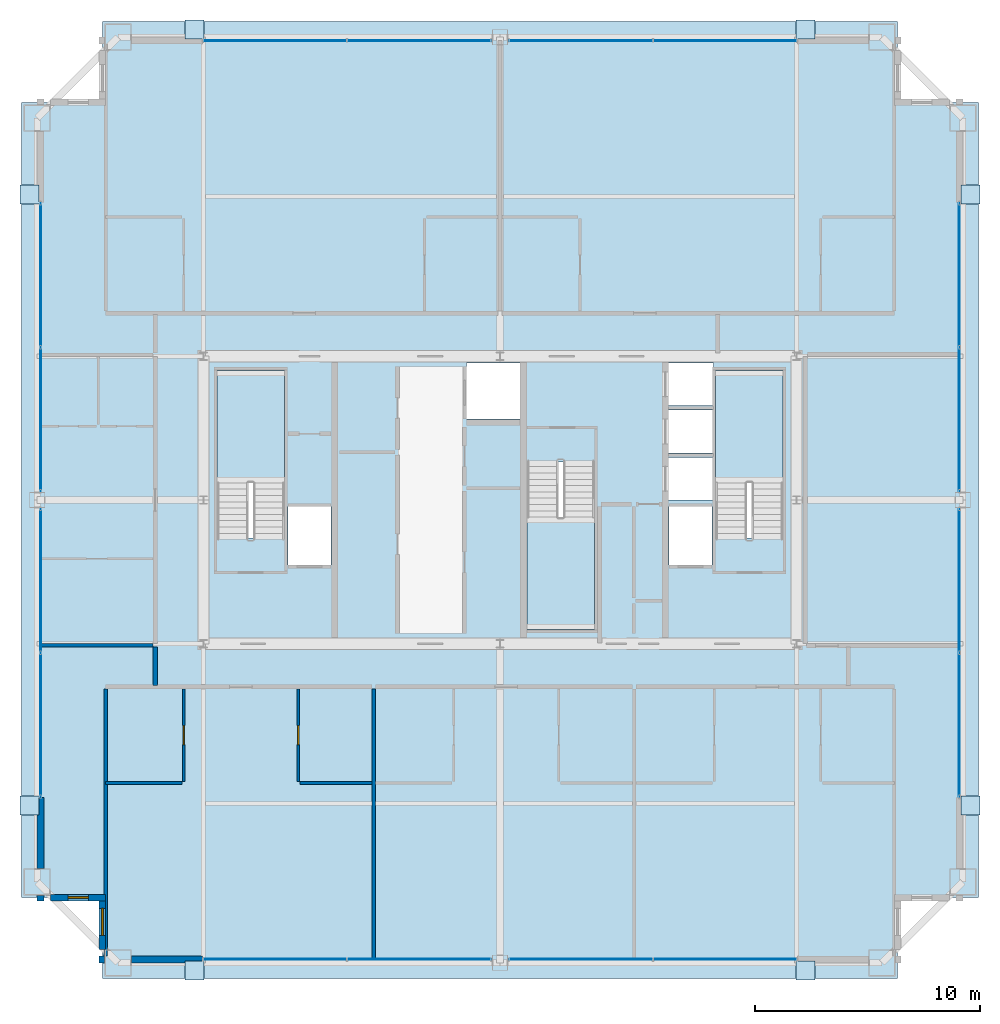
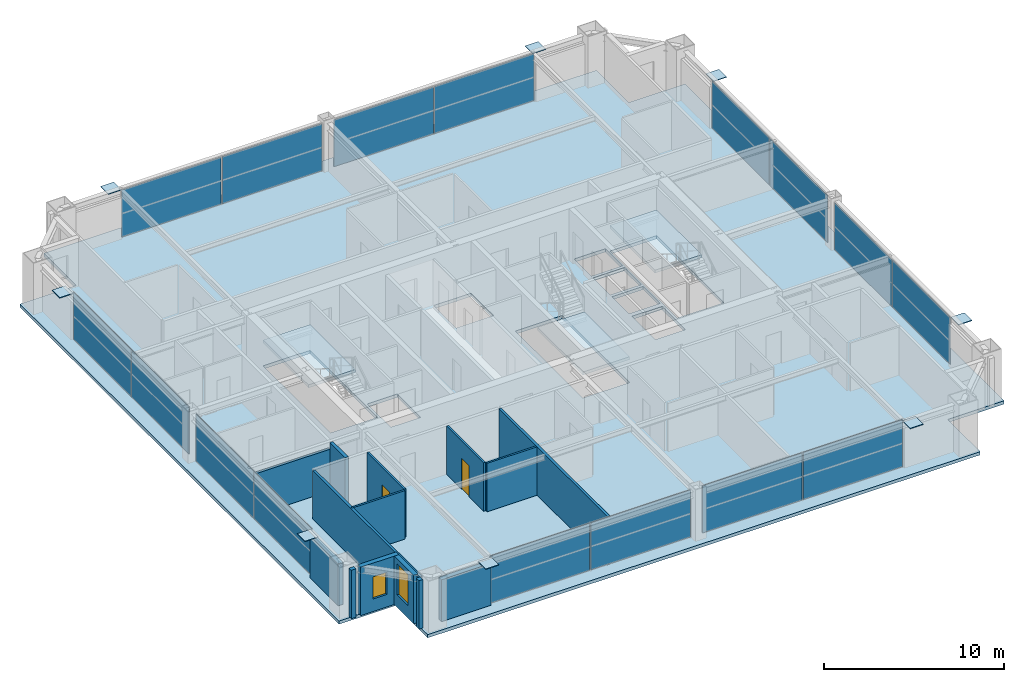
# One storey, part 32 of 37: 24 plates, 14 walls, 4 slabs, 2 doors, 2 windows, 4 openings, 11 elements without a shape of their own.
"""IFC4 building model written with IfcOpenShell, lengths in metres."""

import ifcopenshell
import ifcopenshell.guid

model = None  # the IFC model being written
_history = None  # IfcOwnerHistory: only IFC2X3 demands one
_inside = {}  # id of a spatial element -> (the spatial element, [elements in it])
_under = {}  # id of a project, library or spatial element -> (it, [spatial elements below it])
_declared = {}  # id of a project -> (the project, [libraries it declares])
_typed = {}  # id of a type object -> (the type object, [elements of that type])
_made_of = {}  # id of a material, layer set ... -> (it, [elements and type objects made of it])


def new_model(schema):
    """Start an empty IFC model of exactly this schema.

    Asked for "IFC4X3", IfcOpenShell would pick the latest addendum, in which some entities
    have other attributes; the version numbers below select the first issue.
    IFC2X3 requires an IfcOwnerHistory on every rooted entity: one is made here for all.
    """
    global model, _history
    if schema == "IFC4X3":
        model = ifcopenshell.file(schema_version=(4, 3, 0, 0))
    else:
        model = ifcopenshell.file(schema=schema)
    _inside.clear()
    _under.clear()
    _declared.clear()
    _typed.clear()
    _made_of.clear()
    _history = None
    if model.schema == "IFC2X3":
        org = make("IfcOrganization", Name="unknown")
        user = make(
            "IfcPersonAndOrganization",
            ThePerson=make("IfcPerson", FamilyName="unknown"),
            TheOrganization=org,
        )
        app = make(
            "IfcApplication",
            ApplicationDeveloper=org,
            Version="unknown",
            ApplicationFullName="unknown",
            ApplicationIdentifier="unknown",
        )
        _history = make(
            "IfcOwnerHistory",
            OwningUser=user,
            OwningApplication=app,
            ChangeAction="ADDED",
            CreationDate=0,
        )
    return model


def make(cls, **values):
    """One entity of the class cls with the attributes given. An attribute that is None is left unset."""
    return model.create_entity(
        cls, **{name: value for name, value in values.items() if value is not None}
    )


def rooted(cls, **values):
    """An entity with a GlobalId (a new one), such as an element, a storey or a relation."""
    return make(cls, GlobalId=ifcopenshell.guid.new(), OwnerHistory=_history, **values)


def si_unit(unit_type, name, prefix=None):
    """IfcSIUnit, for example si_unit("LENGTHUNIT", "METRE", prefix="MILLI")."""
    return make("IfcSIUnit", UnitType=unit_type, Prefix=prefix, Name=name)


def assignment(units):
    """IfcUnitAssignment: the units of a project."""
    return None if units is None else make("IfcUnitAssignment", Units=units)


def point(xyz):
    """IfcCartesianPoint."""
    return None if xyz is None else make("IfcCartesianPoint", Coordinates=xyz)


def direction(xyz):
    """IfcDirection."""
    return None if xyz is None else make("IfcDirection", DirectionRatios=xyz)


def frame(location, z_axis=None, x_axis=None):
    """IfcAxis2Placement3D, a coordinate frame: its origin and axes. An axis left out is left unset."""
    return make(
        "IfcAxis2Placement3D",
        Location=point(location),
        Axis=direction(z_axis),
        RefDirection=direction(x_axis),
    )


def frame_2d(location, x_axis=None):
    """IfcAxis2Placement2D, a coordinate frame in the plane: its origin and x axis."""
    return make(
        "IfcAxis2Placement2D", Location=point(location), RefDirection=direction(x_axis)
    )


def origin():
    """The frame at (0, 0, 0) with its axes left unset."""
    return frame((0.0, 0.0, 0.0))


def origin_2d():
    """The frame at (0, 0) in the plane with its x axis left unset."""
    return frame_2d((0.0, 0.0))


def place(relative_to, where):
    """IfcLocalPlacement: puts the frame where relative to a parent placement (None: the world)."""
    return make(
        "IfcLocalPlacement", PlacementRelTo=relative_to, RelativePlacement=where
    )


def context(
    kind, dimensions, precision=None, world=None, true_north=None, identifier=None
):
    """IfcGeometricRepresentationContext, for example the 3D "Model" context."""
    return make(
        "IfcGeometricRepresentationContext",
        ContextIdentifier=identifier,
        ContextType=kind,
        CoordinateSpaceDimension=dimensions,
        Precision=precision,
        WorldCoordinateSystem=world,
        TrueNorth=true_north,
    )


def subcontext(parent, identifier, kind, view, scale=None):
    """IfcGeometricRepresentationSubContext, for example "Body" below "Model"."""
    return make(
        "IfcGeometricRepresentationSubContext",
        ContextIdentifier=identifier,
        ContextType=kind,
        ParentContext=parent,
        TargetScale=scale,
        TargetView=view,
    )


def project(units=None, contexts=None):
    """IfcProject with its units and contexts."""
    return rooted(
        "IfcProject",
        Name="project",
        RepresentationContexts=contexts,
        UnitsInContext=assignment(units),
    )


def spatial(cls, under=None, at=None, **own):
    """A site, building, storey or space (cls), placed at a placement, below another one or the project."""
    s = rooted(cls, ObjectPlacement=at, **own)
    if under is not None:
        _under.setdefault(under.id(), (under, []))[1].append(s)
    return s


def polyline(points):
    """IfcPolyline through the points."""
    return make("IfcPolyline", Points=[point(p) for p in points])


def profile(cls, at=None, kind="AREA", **sizes):
    """A parametric profile (cls). Its sizes go by their IFC names, for example OverallWidth=200.0."""
    return make(cls, ProfileType=kind, Position=at, **sizes)


def rectangle(**sizes):
    """IfcRectangleProfileDef."""
    return profile("IfcRectangleProfileDef", **sizes)


def outline(outer, holes=None, kind="AREA"):
    """IfcArbitraryClosedProfileDef: a profile drawn as a closed curve; with holes, ...WithVoids."""
    if holes is None:
        return make("IfcArbitraryClosedProfileDef", ProfileType=kind, OuterCurve=outer)
    return make(
        "IfcArbitraryProfileDefWithVoids",
        ProfileType=kind,
        OuterCurve=outer,
        InnerCurves=holes,
    )


def extrude(swept, where, along, depth):
    """IfcExtrudedAreaSolid: the profile swept, set in the frame where, extruded along a direction by depth."""
    return make(
        "IfcExtrudedAreaSolid",
        SweptArea=swept,
        Position=where,
        ExtrudedDirection=direction(along),
        Depth=depth,
    )


def shape(context_of_items, identifier, shape_type, items):
    """IfcShapeRepresentation: the items that make up one representation, for example the "Body"."""
    return make(
        "IfcShapeRepresentation",
        ContextOfItems=context_of_items,
        RepresentationIdentifier=identifier,
        RepresentationType=shape_type,
        Items=items,
    )


def source(mapping_origin, context_of_items, identifier, shape_type, items):
    """IfcRepresentationMap: a shape defined once, which mapped items show again and again."""
    return make(
        "IfcRepresentationMap",
        MappingOrigin=mapping_origin,
        MappedRepresentation=shape(context_of_items, identifier, shape_type, items),
    )


def transform(
    local_origin,
    x_axis=None,
    y_axis=None,
    z_axis=None,
    scale=None,
    scale2=None,
    scale3=None,
    uniform=True,
):
    """IfcCartesianTransformationOperator3D, or its non-uniform kind. x_axis, y_axis, z_axis: its Axis1, 2, 3."""
    if uniform:
        return make(
            "IfcCartesianTransformationOperator3D",
            Axis1=direction(x_axis),
            Axis2=direction(y_axis),
            LocalOrigin=point(local_origin),
            Scale=scale,
            Axis3=direction(z_axis),
        )
    return make(
        "IfcCartesianTransformationOperator3DnonUniform",
        Axis1=direction(x_axis),
        Axis2=direction(y_axis),
        LocalOrigin=point(local_origin),
        Scale=scale,
        Axis3=direction(z_axis),
        Scale2=scale2,
        Scale3=scale3,
    )


def mapped(mapping_source, mapping_target):
    """IfcMappedItem: shows the shape of a source again, moved by a transform."""
    return make(
        "IfcMappedItem", MappingSource=mapping_source, MappingTarget=mapping_target
    )


def material(Name=None, Category=None):
    """IfcMaterial."""
    return make("IfcMaterial", Name=Name, Category=Category)


def layer(
    of_material, thickness, ventilated=None, Name=None, Category=None, Priority=None
):
    """IfcMaterialLayer: one layer of a wall or slab, of a material (None: an air gap)."""
    return make(
        "IfcMaterialLayer",
        Material=of_material,
        LayerThickness=thickness,
        IsVentilated=ventilated,
        Name=Name,
        Category=Category,
        Priority=Priority,
    )


def layer_set(layers, Name=None):
    """IfcMaterialLayerSet."""
    return make("IfcMaterialLayerSet", MaterialLayers=layers, LayerSetName=Name)


def made_of(thing, what):
    """Note that an element or type object is made of a material, layer set ...; save() writes the relation."""
    if what is not None:
        _made_of.setdefault(what.id(), (what, []))[1].append(thing)
    return thing


def type_object(cls, material=None, **own):
    """A type object (cls), such as IfcWallType, which elements share."""
    return made_of(rooted(cls, **own), material)


def element(
    cls,
    number,
    at=None,
    inside=None,
    cuts=None,
    type_object=None,
    material=None,
    context=None,
    identifier="Body",
    shape_type=None,
    held_by="IfcProductDefinitionShape",
    body=None,
    shapes=None,
    **own,
):
    """One element of the class cls, such as IfcWall. Its Tag is "e" and its number.

    at: its placement. inside: the storey or other place that contains it. cuts: it is an
    opening in that element (IfcRelVoidsElement). A single representation is given by context,
    identifier, shape_type and body (its items); several are given by shapes. held_by: the class
    of the entity that holds the representations. save() writes the other relations.
    """
    e = rooted(cls, Tag="e%d" % number, ObjectPlacement=at, **own)
    if body is not None:
        shapes = [shape(context, identifier, shape_type, body)]
    if shapes is not None:
        e.Representation = make(held_by, Representations=shapes)
    if inside is not None:
        _inside.setdefault(inside.id(), (inside, []))[1].append(e)
    if cuts is not None:
        rooted(
            "IfcRelVoidsElement", RelatingBuildingElement=cuts, RelatedOpeningElement=e
        )
    if type_object is not None:
        _typed.setdefault(type_object.id(), (type_object, []))[1].append(e)
    return made_of(e, material)


def fill(opening, filler):
    """IfcRelFillsElement: the door or window that sits in an opening."""
    return rooted(
        "IfcRelFillsElement",
        RelatingOpeningElement=opening,
        RelatedBuildingElement=filler,
    )


def aggregate(whole, parts):
    """IfcRelAggregates: a whole, such as a stair, and the parts it consists of."""
    return rooted("IfcRelAggregates", RelatingObject=whole, RelatedObjects=parts)


def save(model, path):
    """Write the relations noted so far, then the file.

    IfcRelAggregates (storeys below a building ...), IfcRelContainedInSpatialStructure (elements
    in a storey), IfcRelDefinesByType, IfcRelAssociatesMaterial and IfcRelDeclares: one each for
    every whole, place, type object, material and project.
    """
    for whole, parts in _under.values():
        aggregate(whole, parts)
    for where, things in _inside.values():
        rooted(
            "IfcRelContainedInSpatialStructure",
            RelatedElements=things,
            RelatingStructure=where,
        )
    for kind, things in _typed.values():
        rooted("IfcRelDefinesByType", RelatedObjects=things, RelatingType=kind)
    for what, things in _made_of.values():
        rooted("IfcRelAssociatesMaterial", RelatedObjects=things, RelatingMaterial=what)
    for by, libraries in _declared.values():
        rooted("IfcRelDeclares", RelatingContext=by, RelatedDefinitions=libraries)
    model.write(path)


model = new_model("IFC4")

# Units and contexts
model_context = context("Model", 3, precision=1e-05, world=origin(), true_north=direction((0.0, 1.0)))
body_context = subcontext(model_context, "Body", "Model", "MODEL_VIEW")
ifc_project = project(units=[si_unit("LENGTHUNIT", "METRE"), si_unit("AREAUNIT", "SQUARE_METRE"), si_unit("VOLUMEUNIT", "CUBIC_METRE"), si_unit("PLANEANGLEUNIT", "RADIAN"), si_unit("MASSUNIT", "GRAM", prefix="KILO"), si_unit("THERMODYNAMICTEMPERATUREUNIT", "KELVIN"), si_unit("POWERUNIT", "WATT")], contexts=[model_context])

# Site, building, storey
site_placement = place(None, origin())
site = spatial("IfcSite", under=ifc_project, at=site_placement, CompositionType="ELEMENT")
building_placement = place(site_placement, origin())
building = spatial("IfcBuilding", under=site, at=building_placement, Name="Yuzanri Waterfront Tower", CompositionType="ELEMENT")
storey_placement = place(building_placement, frame((0.0, 0.0, 268.10009765625)))
storey = spatial("IfcBuildingStorey", under=building, at=storey_placement, Name="L71", CompositionType="ELEMENT", Elevation=268.10009765625)

# Stair, slab
ifc_material_1 = material(Name="Concrete C40", Category="concrete")
stair_type = type_object("IfcStairType", Name="Concrete C40 Core Dogleg Exit Stair", PredefinedType="HALF_TURN_STAIR", material=ifc_material_1)
stair_1_placement = place(storey_placement, origin())
stair_1 = element("IfcStair", 1, at=stair_1_placement, inside=storey, type_object=stair_type, Name="L71 Smoke-Proof Core Stair ST-01", PredefinedType="HALF_TURN_STAIR")
ifc_material_2 = material(Name="Concrete C40", Category="concrete")
ifc_layer_1 = layer(ifc_material_2, 0.179931640625)
ifc_layer_set_1 = layer_set([ifc_layer_1], Name="Concrete C40")
slab_type_1 = type_object("IfcSlabType", Name="Concrete C40 Stair Half-Landing Slab 180", PredefinedType="LANDING", material=ifc_layer_set_1)
slab_1_placement = place(storey_placement, frame((0.0, 0.0, 1.5498046875)))
slab_1 = element("IfcSlab", 2, at=slab_1_placement, type_object=slab_type_1, Name="ST-01 landing 1", PredefinedType="LANDING", context=body_context, shape_type="SweptSolid", body=[
    extrude(outline(polyline([(27.39990234375, 26.56005859375), (27.39990234375, 31.580078125), (24.39990234375, 31.580078125), (24.39990234375, 26.56005859375), (27.39990234375, 26.56005859375)])), origin(), (0.0, 0.0, 1.0), 0.2001953125),
])
aggregate(stair_1, [slab_1])

stair_2_placement = place(storey_placement, origin())
stair_2 = element("IfcStair", 3, at=stair_2_placement, inside=storey, type_object=stair_type, Name="L71 Smoke-Proof Core Stair ST-02", PredefinedType="HALF_TURN_STAIR")
slab_2_placement = place(storey_placement, frame((0.0, 0.0, 1.5498046875)))
slab_2 = element("IfcSlab", 4, at=slab_2_placement, type_object=slab_type_1, Name="ST-02 landing 1", PredefinedType="LANDING", context=body_context, shape_type="SweptSolid", body=[
    extrude(outline(polyline([(49.60009765625, 26.56005859375), (49.60009765625, 31.580078125), (46.60009765625, 31.580078125), (46.60009765625, 26.56005859375), (49.60009765625, 26.56005859375)])), origin(), (0.0, 0.0, 1.0), 0.2001953125),
])
aggregate(stair_2, [slab_2])

stair_3_placement = place(storey_placement, origin())
stair_3 = element("IfcStair", 5, at=stair_3_placement, inside=storey, type_object=stair_type, Name="L71 Smoke-Proof Core Stair ST-03", PredefinedType="HALF_TURN_STAIR")
slab_3_placement = place(storey_placement, frame((0.0, 0.0, 1.5498046875)))
slab_3 = element("IfcSlab", 6, at=slab_3_placement, type_object=slab_type_1, Name="ST-03 landing 1", PredefinedType="LANDING", context=body_context, shape_type="SweptSolid", body=[
    extrude(outline(polyline([(38.199951171875, 25.0400390625), (38.199951171875, 20.02001953125), (41.199951171875, 20.02001953125), (41.199951171875, 25.0400390625), (38.199951171875, 25.0400390625)])), origin(), (0.0, 0.0, 1.0), 0.2001953125),
])
aggregate(stair_3, [slab_3])

# Slab
ifc_material_3 = material(Name="Concrete C40", Category="concrete")
ifc_layer_2 = layer(ifc_material_3, 0.219970703125)
ifc_layer_set_2 = layer_set([ifc_layer_2], Name="Concrete C40")
slab_type_2 = type_object("IfcSlabType", Name="Concrete C40 Tower Typical Structural Floor Slab 220", PredefinedType="FLOOR", material=ifc_layer_set_2)
slab_4_placement = place(storey_placement, frame((0.0, 0.0, -0.22021484375)))
element("IfcSlab", 7, at=slab_4_placement, inside=storey, type_object=slab_type_2, Name="L71 Main Structural Floor Slab", PredefinedType="FLOOR", context=body_context, shape_type="SweptSolid", body=[
    extrude(outline(polyline([(19.300048828125, 4.5), (54.699951171875, 4.5), (54.699951171875, 8.10009765625), (58.300048828125, 8.10009765625), (58.300048828125, 43.5), (54.699951171875, 43.5), (54.699951171875, 47.10009765625), (19.300048828125, 47.10009765625), (19.300048828125, 43.5), (15.699951171875, 43.5), (15.699951171875, 8.10009765625), (19.300048828125, 8.10009765625), (19.300048828125, 4.5)]), holes=[polyline([(27.39990234375, 24.10009765625), (27.39990234375, 31.580078125), (24.39990234375, 31.580078125), (24.39990234375, 24.10009765625), (27.39990234375, 24.10009765625)]), polyline([(49.60009765625, 24.10009765625), (49.60009765625, 31.580078125), (46.60009765625, 31.580078125), (46.60009765625, 24.10009765625), (49.60009765625, 24.10009765625)]), polyline([(38.199951171875, 27.5), (38.199951171875, 20.02001953125), (41.199951171875, 20.02001953125), (41.199951171875, 27.5), (38.199951171875, 27.5)]), polyline([(27.56005859375, 22.89990234375), (29.47998046875, 22.89990234375), (29.47998046875, 25.5), (27.56005859375, 25.5), (27.56005859375, 22.89990234375)]), polyline([(44.52001953125, 22.89990234375), (46.43994140625, 22.89990234375), (46.43994140625, 25.5), (44.52001953125, 25.5), (44.52001953125, 22.89990234375)]), polyline([(35.5, 29.39990234375), (37.89990234375, 29.39990234375), (37.89990234375, 31.89990234375), (35.5, 31.89990234375), (35.5, 29.39990234375)]), polyline([(44.5, 25.800048828125), (46.5, 25.800048828125), (46.5, 27.699951171875), (44.5, 27.699951171875), (44.5, 25.800048828125)]), polyline([(44.5, 27.89990234375), (46.5, 27.89990234375), (46.5, 29.800048828125), (44.5, 29.800048828125), (44.5, 27.89990234375)]), polyline([(44.5, 30.0), (46.5, 30.0), (46.5, 31.89990234375), (44.5, 31.89990234375), (44.5, 30.0)])]), origin(), (0.0, 0.0, 1.0), 0.22021484375),
])

# Plates
ifc_material_4 = material(Name="Steel Q420GJC", Category="steel")
ifc_layer_3 = layer(ifc_material_4, 0.0400390625)
ifc_layer_set_3 = layer_set([ifc_layer_3], Name="Steel Q420GJC")
plate_type_1 = type_object("IfcPlateType", Name="Steel Q420GJC Mega-Brace Gusset and End-Cap Plate 40", PredefinedType="SHEET", material=ifc_layer_set_3)
shared_shape_1 = source(origin(), body_context, "Body", "SweptSolid", [
    extrude(rectangle(XDim=0.85009765625, YDim=0.85009765625, at=origin_2d()), origin(), (0.0, 0.0, 1.0), 0.0400390625),
])
for number, where, z_axis, x_axis, name in (
    (8, (23.39990234375, 4.860107421875, 3.159912109375), (0.0, 0.0, 1.0), (1.0, 0.0, 0.0), "L71 Mega-Brace Apex Cap Plate S-L"),
    (9, (50.60009765625, 4.860107421875, 3.159912109375), (0.0, 0.0, 1.0), (1.0, 0.0, 0.0), "L71 Mega-Brace Apex Cap Plate S-R"),
    (10, (23.39990234375, 46.739990234375, 3.159912109375), (0.0, 0.0, 1.0), (1.0, 0.0, 0.0), "L71 Mega-Brace Apex Cap Plate N-L"),
    (11, (50.60009765625, 46.739990234375, 3.159912109375), (0.0, 0.0, 1.0), (1.0, 0.0, 0.0), "L71 Mega-Brace Apex Cap Plate N-R"),
    (12, (16.06005859375, 12.199951171875, 3.159912109375), (0.0, 0.0, 1.0), (1.0, 0.0, 0.0), "L71 Mega-Brace Apex Cap Plate W-L"),
    (13, (16.06005859375, 39.39990234375, 3.159912109375), (0.0, 0.0, 1.0), (1.0, 0.0, 0.0), "L71 Mega-Brace Apex Cap Plate W-R"),
    (14, (57.93994140625, 12.199951171875, 3.159912109375), (0.0, 0.0, 1.0), (1.0, 0.0, 0.0), "L71 Mega-Brace Apex Cap Plate E-L"),
    (15, (57.93994140625, 39.39990234375, 3.159912109375), (0.0, 0.0, 1.0), (1.0, 0.0, 0.0), "L71 Mega-Brace Apex Cap Plate E-R"),
):
    element("IfcPlate", number, at=place(storey_placement, frame(where, z_axis=z_axis, x_axis=x_axis)), inside=storey, type_object=plate_type_1, Name=name, PredefinedType="SHEET", context=body_context, shape_type="MappedRepresentation", body=[
        mapped(shared_shape_1, transform((0.0, 0.0, 0.0), scale=1.0)),
    ])

# Curtain wall, plates
ifc_material_5 = material(Name="Anodized Architectural Bronze", Category="metal")
ifc_layer_4 = layer(ifc_material_5, 0.159912109375)
ifc_layer_set_4 = layer_set([ifc_layer_4], Name="Anodized Architectural Bronze")
curtain_wall_type = type_object("IfcCurtainWallType", Name="Anodized Bronze Mid-Rise Residential Acoustic Unitized Curtain Wall 7200", PredefinedType="NOTDEFINED", material=ifc_layer_set_4)
curtain_wall_1_placement = place(storey_placement, origin())
curtain_wall_1 = element("IfcCurtainWall", 16, at=curtain_wall_1_placement, inside=storey, type_object=curtain_wall_type, Name="L71 Curtain Wall CW-L71-SL", PredefinedType="NOTDEFINED")
ifc_material_6 = material(Name="Triple Low-E Laminated Insulated Glass", Category="glass")
ifc_layer_5 = layer(ifc_material_6, 0.0439453125)
ifc_layer_set_5 = layer_set([ifc_layer_5], Name="Triple Low-E Laminated Insulated Glass")
plate_type_2 = type_object("IfcPlateType", Name="Triple Glazed Acoustic Vision Glass Panel 44", PredefinedType="CURTAIN_PANEL", material=ifc_layer_set_5)
shared_shape_2 = source(origin(), body_context, "Body", "SweptSolid", [
    extrude(rectangle(XDim=6.3701171875, YDim=0.0439453125, at=origin_2d()), origin(), (0.0, 0.0, 1.0), 3.179931640625),
])
plate_1_placement = place(storey_placement, frame((26.97509765625, 5.35009765625, 0.0498046875), z_axis=(0.0, 0.0, 1.0), x_axis=(1.0, 0.0, 0.0)))
plate_1 = element("IfcPlate", 17, at=plate_1_placement, type_object=plate_type_2, Name="CW-L71-SL Vision Glass Panel 01", PredefinedType="CURTAIN_PANEL", context=body_context, shape_type="MappedRepresentation", body=[
    mapped(shared_shape_2, transform((0.0, 0.0, 0.0), scale=1.0)),
])
plate_2_placement = place(storey_placement, frame((33.425048828125, 5.35009765625, 0.0498046875), z_axis=(0.0, 0.0, 1.0), x_axis=(1.0, 0.0, 0.0)))
plate_2 = element("IfcPlate", 18, at=plate_2_placement, type_object=plate_type_2, Name="CW-L71-SL Vision Glass Panel 02", PredefinedType="CURTAIN_PANEL", context=body_context, shape_type="MappedRepresentation", body=[
    mapped(shared_shape_2, transform((0.0, 0.0, 0.0), scale=1.0)),
])
aggregate(curtain_wall_1, [plate_1, plate_2])

curtain_wall_2_placement = place(storey_placement, origin())
curtain_wall_2 = element("IfcCurtainWall", 19, at=curtain_wall_2_placement, inside=storey, type_object=curtain_wall_type, Name="L71 Curtain Wall CW-L71-SR", PredefinedType="NOTDEFINED")
plate_3_placement = place(storey_placement, frame((40.574951171875, 5.35009765625, 0.0498046875), z_axis=(0.0, 0.0, 1.0), x_axis=(1.0, 0.0, 0.0)))
plate_3 = element("IfcPlate", 20, at=plate_3_placement, type_object=plate_type_2, Name="CW-L71-SR Vision Glass Panel 01", PredefinedType="CURTAIN_PANEL", context=body_context, shape_type="MappedRepresentation", body=[
    mapped(shared_shape_2, transform((0.0, 0.0, 0.0), scale=1.0)),
])
plate_4_placement = place(storey_placement, frame((47.02490234375, 5.35009765625, 0.0498046875), z_axis=(0.0, 0.0, 1.0), x_axis=(1.0, 0.0, 0.0)))
plate_4 = element("IfcPlate", 21, at=plate_4_placement, type_object=plate_type_2, Name="CW-L71-SR Vision Glass Panel 02", PredefinedType="CURTAIN_PANEL", context=body_context, shape_type="MappedRepresentation", body=[
    mapped(shared_shape_2, transform((0.0, 0.0, 0.0), scale=1.0)),
])
aggregate(curtain_wall_2, [plate_3, plate_4])

curtain_wall_3_placement = place(storey_placement, origin())
curtain_wall_3 = element("IfcCurtainWall", 22, at=curtain_wall_3_placement, inside=storey, type_object=curtain_wall_type, Name="L71 Curtain Wall CW-L71-NL", PredefinedType="NOTDEFINED")
plate_5_placement = place(storey_placement, frame((26.97509765625, 46.25, 0.0498046875), z_axis=(0.0, 0.0, 1.0), x_axis=(1.0, 0.0, 0.0)))
plate_5 = element("IfcPlate", 23, at=plate_5_placement, type_object=plate_type_2, Name="CW-L71-NL Vision Glass Panel 01", PredefinedType="CURTAIN_PANEL", context=body_context, shape_type="MappedRepresentation", body=[
    mapped(shared_shape_2, transform((0.0, 0.0, 0.0), scale=1.0)),
])
plate_6_placement = place(storey_placement, frame((33.425048828125, 46.25, 0.0498046875), z_axis=(0.0, 0.0, 1.0), x_axis=(1.0, 0.0, 0.0)))
plate_6 = element("IfcPlate", 24, at=plate_6_placement, type_object=plate_type_2, Name="CW-L71-NL Vision Glass Panel 02", PredefinedType="CURTAIN_PANEL", context=body_context, shape_type="MappedRepresentation", body=[
    mapped(shared_shape_2, transform((0.0, 0.0, 0.0), scale=1.0)),
])
aggregate(curtain_wall_3, [plate_5, plate_6])

curtain_wall_4_placement = place(storey_placement, origin())
curtain_wall_4 = element("IfcCurtainWall", 25, at=curtain_wall_4_placement, inside=storey, type_object=curtain_wall_type, Name="L71 Curtain Wall CW-L71-NR", PredefinedType="NOTDEFINED")
plate_7_placement = place(storey_placement, frame((40.574951171875, 46.25, 0.0498046875), z_axis=(0.0, 0.0, 1.0), x_axis=(1.0, 0.0, 0.0)))
plate_7 = element("IfcPlate", 26, at=plate_7_placement, type_object=plate_type_2, Name="CW-L71-NR Vision Glass Panel 01", PredefinedType="CURTAIN_PANEL", context=body_context, shape_type="MappedRepresentation", body=[
    mapped(shared_shape_2, transform((0.0, 0.0, 0.0), scale=1.0)),
])
plate_8_placement = place(storey_placement, frame((47.02490234375, 46.25, 0.0498046875), z_axis=(0.0, 0.0, 1.0), x_axis=(1.0, 0.0, 0.0)))
plate_8 = element("IfcPlate", 27, at=plate_8_placement, type_object=plate_type_2, Name="CW-L71-NR Vision Glass Panel 02", PredefinedType="CURTAIN_PANEL", context=body_context, shape_type="MappedRepresentation", body=[
    mapped(shared_shape_2, transform((0.0, 0.0, 0.0), scale=1.0)),
])
aggregate(curtain_wall_4, [plate_7, plate_8])

curtain_wall_5_placement = place(storey_placement, origin())
curtain_wall_5 = element("IfcCurtainWall", 28, at=curtain_wall_5_placement, inside=storey, type_object=curtain_wall_type, Name="L71 Curtain Wall CW-L71-WL", PredefinedType="NOTDEFINED")
plate_9_placement = place(storey_placement, frame((16.550048828125, 15.77490234375, 0.0498046875), z_axis=(0.0, 0.0, 1.0), x_axis=(0.0, 1.0, 0.0)))
plate_9 = element("IfcPlate", 29, at=plate_9_placement, type_object=plate_type_2, Name="CW-L71-WL Vision Glass Panel 01", PredefinedType="CURTAIN_PANEL", context=body_context, shape_type="MappedRepresentation", body=[
    mapped(shared_shape_2, transform((0.0, 0.0, 0.0), scale=1.0)),
])
plate_10_placement = place(storey_placement, frame((16.550048828125, 22.22509765625, 0.0498046875), z_axis=(0.0, 0.0, 1.0), x_axis=(0.0, 1.0, 0.0)))
plate_10 = element("IfcPlate", 30, at=plate_10_placement, type_object=plate_type_2, Name="CW-L71-WL Vision Glass Panel 02", PredefinedType="CURTAIN_PANEL", context=body_context, shape_type="MappedRepresentation", body=[
    mapped(shared_shape_2, transform((0.0, 0.0, 0.0), scale=1.0)),
])
aggregate(curtain_wall_5, [plate_9, plate_10])

curtain_wall_6_placement = place(storey_placement, origin())
curtain_wall_6 = element("IfcCurtainWall", 31, at=curtain_wall_6_placement, inside=storey, type_object=curtain_wall_type, Name="L71 Curtain Wall CW-L71-WR", PredefinedType="NOTDEFINED")
plate_11_placement = place(storey_placement, frame((16.550048828125, 29.375, 0.0498046875), z_axis=(0.0, 0.0, 1.0), x_axis=(0.0, 1.0, 0.0)))
plate_11 = element("IfcPlate", 32, at=plate_11_placement, type_object=plate_type_2, Name="CW-L71-WR Vision Glass Panel 01", PredefinedType="CURTAIN_PANEL", context=body_context, shape_type="MappedRepresentation", body=[
    mapped(shared_shape_2, transform((0.0, 0.0, 0.0), scale=1.0)),
])
plate_12_placement = place(storey_placement, frame((16.550048828125, 35.824951171875, 0.0498046875), z_axis=(0.0, 0.0, 1.0), x_axis=(0.0, 1.0, 0.0)))
plate_12 = element("IfcPlate", 33, at=plate_12_placement, type_object=plate_type_2, Name="CW-L71-WR Vision Glass Panel 02", PredefinedType="CURTAIN_PANEL", context=body_context, shape_type="MappedRepresentation", body=[
    mapped(shared_shape_2, transform((0.0, 0.0, 0.0), scale=1.0)),
])
aggregate(curtain_wall_6, [plate_11, plate_12])

curtain_wall_7_placement = place(storey_placement, origin())
curtain_wall_7 = element("IfcCurtainWall", 34, at=curtain_wall_7_placement, inside=storey, type_object=curtain_wall_type, Name="L71 Curtain Wall CW-L71-EL", PredefinedType="NOTDEFINED")
plate_13_placement = place(storey_placement, frame((57.449951171875, 15.77490234375, 0.0498046875), z_axis=(0.0, 0.0, 1.0), x_axis=(0.0, 1.0, 0.0)))
plate_13 = element("IfcPlate", 35, at=plate_13_placement, type_object=plate_type_2, Name="CW-L71-EL Vision Glass Panel 01", PredefinedType="CURTAIN_PANEL", context=body_context, shape_type="MappedRepresentation", body=[
    mapped(shared_shape_2, transform((0.0, 0.0, 0.0), scale=1.0)),
])
plate_14_placement = place(storey_placement, frame((57.449951171875, 22.22509765625, 0.0498046875), z_axis=(0.0, 0.0, 1.0), x_axis=(0.0, 1.0, 0.0)))
plate_14 = element("IfcPlate", 36, at=plate_14_placement, type_object=plate_type_2, Name="CW-L71-EL Vision Glass Panel 02", PredefinedType="CURTAIN_PANEL", context=body_context, shape_type="MappedRepresentation", body=[
    mapped(shared_shape_2, transform((0.0, 0.0, 0.0), scale=1.0)),
])
aggregate(curtain_wall_7, [plate_13, plate_14])

curtain_wall_8_placement = place(storey_placement, origin())
curtain_wall_8 = element("IfcCurtainWall", 37, at=curtain_wall_8_placement, inside=storey, type_object=curtain_wall_type, Name="L71 Curtain Wall CW-L71-ER", PredefinedType="NOTDEFINED")
plate_15_placement = place(storey_placement, frame((57.449951171875, 29.375, 0.0498046875), z_axis=(0.0, 0.0, 1.0), x_axis=(0.0, 1.0, 0.0)))
plate_15 = element("IfcPlate", 38, at=plate_15_placement, type_object=plate_type_2, Name="CW-L71-ER Vision Glass Panel 01", PredefinedType="CURTAIN_PANEL", context=body_context, shape_type="MappedRepresentation", body=[
    mapped(shared_shape_2, transform((0.0, 0.0, 0.0), scale=1.0)),
])
plate_16_placement = place(storey_placement, frame((57.449951171875, 35.824951171875, 0.0498046875), z_axis=(0.0, 0.0, 1.0), x_axis=(0.0, 1.0, 0.0)))
plate_16 = element("IfcPlate", 39, at=plate_16_placement, type_object=plate_type_2, Name="CW-L71-ER Vision Glass Panel 02", PredefinedType="CURTAIN_PANEL", context=body_context, shape_type="MappedRepresentation", body=[
    mapped(shared_shape_2, transform((0.0, 0.0, 0.0), scale=1.0)),
])
aggregate(curtain_wall_8, [plate_15, plate_16])

# Wall, opening, door
ifc_material_7 = material(Name="Moisture-Resistant Gypsum Stud Wall", Category="gypsum")
ifc_layer_6 = layer(ifc_material_7, 0.1201171875)
ifc_layer_set_6 = layer_set([ifc_layer_6], Name="Moisture-Resistant Gypsum Stud Wall")
wall_type_1 = type_object("IfcWallType", Name="Bathroom and Kitchen Wet Partition 120", PredefinedType="PARTITIONING", material=ifc_layer_set_6)
wall_1_placement = place(storey_placement, frame((22.919921875, 13.280029296875, 0.0), z_axis=(0.0, 0.0, 1.0), x_axis=(0.0, 1.0, 0.0)))
wall_1 = element("IfcWall", 40, at=wall_1_placement, inside=storey, type_object=wall_type_1, Name="L71 Partition UW-L71-HS1-SUB-1-E", PredefinedType="PARTITIONING", context=body_context, shape_type="SweptSolid", body=[
    extrude(rectangle(XDim=4.10986328125, YDim=0.1201171875, at=frame_2d((2.054931640625, 0.0))), origin(), (0.0, 0.0, 1.0), 3.27978515625),
])
opening_1_placement = place(wall_1_placement, frame((1.6298828125, 0.0, 0.0)))
opening_1 = element("IfcOpeningElement", 41, at=opening_1_placement, cuts=wall_1, Name="Opening ID-0850", PredefinedType="OPENING", context=body_context, shape_type="SweptSolid", body=[
    extrude(rectangle(XDim=0.85009765625, YDim=2.10009765625, at=frame_2d((0.425048828125, 1.050048828125))), frame((0.0, 0.074951171875, 0.0), z_axis=(0.0, -1.0, 0.0), x_axis=(1.0, 0.0, 0.0)), (0.0, 0.0, 1.0), 0.14990234375),
])
ifc_material_8 = material(Name="Moisture-Resistant Lacquered Timber", Category="wood")
door_type = type_object("IfcDoorType", Name="En-Suite Bathroom and Kitchen Swing Door 850x2100", OperationType="NOTDEFINED", PredefinedType="DOOR", material=ifc_material_8)
shared_shape_3 = source(origin(), body_context, "Body", "SweptSolid", [
    extrude(rectangle(XDim=0.85009765625, YDim=2.10009765625, at=frame_2d((0.425048828125, 1.050048828125))), frame((0.0, 0.02490234375, 0.0), z_axis=(0.0, -1.0, 0.0), x_axis=(1.0, 0.0, 0.0)), (0.0, 0.0, 1.0), 0.050048828125),
])
door_1_placement = place(opening_1_placement, origin())
door_1 = element("IfcDoor", 42, at=door_1_placement, inside=storey, type_object=door_type, Name="L71 Suite Interior Room Door", OperationType="SINGLE_SWING_RIGHT", OverallHeight=2.10009765625, OverallWidth=0.85009765625, PredefinedType="DOOR", context=body_context, shape_type="MappedRepresentation", body=[
    mapped(shared_shape_3, transform((0.0, 0.0, 0.0), scale=1.0)),
])
fill(opening_1, door_1)

wall_2_placement = place(storey_placement, frame((28.02099609375, 13.280029296875, 0.0), z_axis=(0.0, 0.0, 1.0), x_axis=(0.0, 1.0, 0.0)))
wall_2 = element("IfcWall", 43, at=wall_2_placement, inside=storey, type_object=wall_type_1, Name="L71 Partition UW-L71-HS1-SUB-2-W", PredefinedType="PARTITIONING", context=body_context, shape_type="SweptSolid", body=[
    extrude(rectangle(XDim=4.10986328125, YDim=0.1201171875, at=frame_2d((2.054931640625, 0.0))), origin(), (0.0, 0.0, 1.0), 3.27978515625),
])
opening_2_placement = place(wall_2_placement, frame((1.6298828125, 0.0, 0.0)))
opening_2 = element("IfcOpeningElement", 44, at=opening_2_placement, cuts=wall_2, Name="Opening ID-0850", PredefinedType="OPENING", context=body_context, shape_type="SweptSolid", body=[
    extrude(rectangle(XDim=0.85009765625, YDim=2.10009765625, at=frame_2d((0.425048828125, 1.050048828125))), frame((0.0, 0.074951171875, 0.0), z_axis=(0.0, -1.0, 0.0), x_axis=(1.0, 0.0, 0.0)), (0.0, 0.0, 1.0), 0.14990234375),
])
door_2_placement = place(opening_2_placement, origin())
door_2 = element("IfcDoor", 45, at=door_2_placement, inside=storey, type_object=door_type, Name="L71 Suite Interior Room Door", OperationType="SINGLE_SWING_LEFT", OverallHeight=2.10009765625, OverallWidth=0.85009765625, PredefinedType="DOOR", context=body_context, shape_type="MappedRepresentation", body=[
    mapped(shared_shape_3, transform((0.0, 0.0, 0.0), scale=1.0)),
])
fill(opening_2, door_2)

# Wall, opening, window
ifc_material_9 = material(Name="Honed Chongqing Dark Basalt Stone", Category="masonry")
ifc_layer_7 = layer(ifc_material_9, 0.300048828125)
ifc_layer_set_7 = layer_set([ifc_layer_7], Name="Honed Chongqing Dark Basalt Stone")
wall_type_2 = type_object("IfcWallType", Name="Bronze Rainscreen Insulated Spandrel Portal Wall 300", PredefinedType="SOLIDWALL", material=ifc_layer_set_7)
wall_3_placement = place(storey_placement, frame((17.0, 8.10009765625, 0.0), z_axis=(0.0, 0.0, 1.0), x_axis=(1.0, 0.0, 0.0)))
wall_3 = element("IfcWall", 46, at=wall_3_placement, inside=storey, type_object=wall_type_2, Name="L71 Notched Corner Masonry Wall SW-X", PredefinedType="SOLIDWALL", context=body_context, shape_type="SweptSolid", body=[
    extrude(rectangle(XDim=2.449951171875, YDim=0.300048828125, at=frame_2d((1.22509765625, 0.0))), origin(), (0.0, 0.0, 1.0), 3.27978515625),
])
opening_3_placement = place(wall_3_placement, frame((0.77490234375, 0.0, 0.85009765625)))
opening_3 = element("IfcOpeningElement", 47, at=opening_3_placement, cuts=wall_3, Name="Opening WN-05", PredefinedType="OPENING", context=body_context, shape_type="SweptSolid", body=[
    extrude(rectangle(XDim=0.89990234375, YDim=1.5, at=frame_2d((0.449951171875, 0.75))), frame((0.0, 0.1650390625, 0.0), z_axis=(0.0, -1.0, 0.0), x_axis=(1.0, 0.0, 0.0)), (0.0, 0.0, 1.0), 0.329833984375),
])
ifc_material_10 = material(Name="Double-Silver Low-E Insulated Glass", Category="glass")
window_type_1 = type_object("IfcWindowType", Name="Anodized Bronze Service and Stairwell Smoke-Vent Window 900x1500", PartitioningType="SINGLE_PANEL", PredefinedType="WINDOW", material=ifc_material_10)
shared_shape_4 = source(origin(), body_context, "Body", "SweptSolid", [
    extrude(rectangle(XDim=0.89990234375, YDim=1.5, at=frame_2d((0.449951171875, 0.75))), frame((0.0, 0.030029296875, 0.0), z_axis=(0.0, -1.0, 0.0), x_axis=(1.0, 0.0, 0.0)), (0.0, 0.0, 1.0), 0.06005859375),
])
window_1_placement = place(opening_3_placement, origin())
window_1 = element("IfcWindow", 48, at=window_1_placement, inside=storey, type_object=window_type_1, Name="L71 Notched Corner Window SW-X", OverallHeight=1.5, OverallWidth=0.89990234375, PartitioningType="SINGLE_PANEL", PredefinedType="WINDOW", context=body_context, shape_type="MappedRepresentation", body=[
    mapped(shared_shape_4, transform((0.0, 0.0, 0.0), scale=1.0)),
])
fill(opening_3, window_1)

wall_4_placement = place(storey_placement, frame((19.300048828125, 8.25, 0.0), z_axis=(0.0, 0.0, 1.0), x_axis=(0.0, -1.0, 0.0)))
wall_4 = element("IfcWall", 49, at=wall_4_placement, inside=storey, type_object=wall_type_2, Name="L71 Notched Corner Masonry Wall SW-Y", PredefinedType="SOLIDWALL", context=body_context, shape_type="SweptSolid", body=[
    extrude(rectangle(XDim=2.449951171875, YDim=0.300048828125, at=frame_2d((1.22509765625, 0.0))), origin(), (0.0, 0.0, 1.0), 3.27978515625),
])
opening_4_placement = place(wall_4_placement, frame((0.625, 0.0, 0.85009765625)))
opening_4 = element("IfcOpeningElement", 50, at=opening_4_placement, cuts=wall_4, Name="Opening WN-02", PredefinedType="OPENING", context=body_context, shape_type="SweptSolid", body=[
    extrude(rectangle(XDim=1.199951171875, YDim=2.10009765625, at=frame_2d((0.60009765625, 1.050048828125))), frame((0.0, 0.1650390625, 0.0), z_axis=(0.0, -1.0, 0.0), x_axis=(1.0, 0.0, 0.0)), (0.0, 0.0, 1.0), 0.329833984375),
])
ifc_material_11 = material(Name="Double-Silver Low-E Insulated Glass", Category="glass")
window_type_2 = type_object("IfcWindowType", Name="Anodized Bronze Notched Corner Deep-Set Slot Window 1200x2100", PartitioningType="SINGLE_PANEL", PredefinedType="WINDOW", material=ifc_material_11)
shared_shape_5 = source(origin(), body_context, "Body", "SweptSolid", [
    extrude(rectangle(XDim=1.199951171875, YDim=2.10009765625, at=frame_2d((0.60009765625, 1.050048828125))), frame((0.0, 0.030029296875, 0.0), z_axis=(0.0, -1.0, 0.0), x_axis=(1.0, 0.0, 0.0)), (0.0, 0.0, 1.0), 0.06005859375),
])
window_2_placement = place(opening_4_placement, origin())
window_2 = element("IfcWindow", 51, at=window_2_placement, inside=storey, type_object=window_type_2, Name="L71 Notched Corner Window SW-Y", OverallHeight=2.10009765625, OverallWidth=1.199951171875, PartitioningType="SINGLE_PANEL", PredefinedType="WINDOW", context=body_context, shape_type="MappedRepresentation", body=[
    mapped(shared_shape_5, transform((0.0, 0.0, 0.0), scale=1.0)),
])
fill(opening_4, window_2)

# Walls
shared_shape_6 = source(origin(), body_context, "Body", "SweptSolid", [
    extrude(rectangle(XDim=0.25, YDim=0.300048828125, at=frame_2d((0.125, 0.0))), origin(), (0.0, 0.0, 1.0), 3.27978515625),
])
for number, where, z_axis, x_axis, name in (
    (52, (19.14990234375, 5.35009765625, 0.0), (0.0, 0.0, 1.0), (1.0, 0.0, 0.0), "L71 Corner Column Shoulder Return CSW"),
    (53, (16.550048828125, 7.949951171875, 0.0), (0.0, 0.0, 1.0), (0.0, 1.0, 0.0), "L71 Corner Column Shoulder Return CWS"),
):
    element("IfcWall", number, at=place(storey_placement, frame(where, z_axis=z_axis, x_axis=x_axis)), inside=storey, type_object=wall_type_2, Name=name, PredefinedType="SOLIDWALL", context=body_context, shape_type="MappedRepresentation", body=[
        mapped(shared_shape_6, transform((0.0, 0.0, 0.0), scale=1.0)),
    ])
shared_shape_7 = source(origin(), body_context, "Body", "SweptSolid", [
    extrude(rectangle(XDim=3.14990234375, YDim=0.300048828125, at=frame_2d((1.574951171875, 0.0))), origin(), (0.0, 0.0, 1.0), 2.8349609375),
])
wall_5_placement = place(storey_placement, frame((20.60009765625, 5.35009765625, 0.0), z_axis=(0.0, 0.0, 1.0), x_axis=(1.0, 0.0, 0.0)))
element("IfcWall", 54, at=wall_5_placement, inside=storey, type_object=wall_type_2, Name="L71 S Left Braced Masonry Shoulder", PredefinedType="SOLIDWALL", context=body_context, shape_type="MappedRepresentation", body=[
    mapped(shared_shape_7, transform((0.0, 0.0, 0.0), scale=1.0)),
])
shared_shape_8 = source(origin(), body_context, "Body", "SweptSolid", [
    extrude(rectangle(XDim=3.150146484375, YDim=0.300048828125, at=frame_2d((1.5751953125, 0.0))), origin(), (0.0, 0.0, 1.0), 2.8349609375),
])
wall_6_placement = place(storey_placement, frame((16.550048828125, 9.39990234375, 0.0), z_axis=(0.0, 0.0, 1.0), x_axis=(0.0, 1.0, 0.0)))
element("IfcWall", 55, at=wall_6_placement, inside=storey, type_object=wall_type_2, Name="L71 W Left Braced Masonry Shoulder", PredefinedType="SOLIDWALL", context=body_context, shape_type="MappedRepresentation", body=[
    mapped(shared_shape_8, transform((0.0, 0.0, 0.0), scale=1.0)),
])
ifc_material_12 = material(Name="Gypsum Fireboard Acoustic Stud Wall", Category="gypsum")
ifc_layer_8 = layer(ifc_material_12, 0.159912109375)
ifc_layer_set_8 = layer_set([ifc_layer_8], Name="Gypsum Fireboard Acoustic Stud Wall")
wall_type_3 = type_object("IfcWallType", Name="Acoustic Suite Demising Partition 160", PredefinedType="PARTITIONING", material=ifc_layer_set_8)
shared_shape_9 = source(origin(), body_context, "Body", "SweptSolid", [
    extrude(rectangle(XDim=12.039794921875, YDim=0.159912109375, at=frame_2d((6.02001953125, 0.0))), origin(), (0.0, 0.0, 1.0), 3.27978515625),
])
wall_7_placement = place(storey_placement, frame((31.381103515625, 5.35009765625, 0.0), z_axis=(0.0, 0.0, 1.0), x_axis=(0.0, 1.0, 0.0)))
element("IfcWall", 56, at=wall_7_placement, inside=storey, type_object=wall_type_3, Name="L71-HS1 Party Wall", PredefinedType="PARTITIONING", context=body_context, shape_type="MappedRepresentation", body=[
    mapped(shared_shape_9, transform((0.0, 0.0, 0.0), scale=1.0)),
])
shared_shape_10 = source(origin(), body_context, "Body", "SweptSolid", [
    extrude(rectangle(XDim=3.400146484375, YDim=0.1201171875, at=frame_2d((1.7001953125, 0.0))), origin(), (0.0, 0.0, 1.0), 3.27978515625),
])
wall_8_placement = place(storey_placement, frame((19.43994140625, 13.199951171875, 0.0), z_axis=(0.0, 0.0, 1.0), x_axis=(1.0, 0.0, 0.0)))
element("IfcWall", 57, at=wall_8_placement, inside=storey, type_object=wall_type_1, Name="L71 Partition UW-L71-HS1-SUB-1-S", PredefinedType="PARTITIONING", context=body_context, shape_type="MappedRepresentation", body=[
    mapped(shared_shape_10, transform((0.0, 0.0, 0.0), scale=1.0)),
])
shared_shape_11 = source(origin(), body_context, "Body", "SweptSolid", [
    extrude(rectangle(XDim=3.199951171875, YDim=0.1201171875, at=frame_2d((1.60009765625, 0.0))), origin(), (0.0, 0.0, 1.0), 3.27978515625),
])
wall_9_placement = place(storey_placement, frame((28.10107421875, 13.199951171875, 0.0), z_axis=(0.0, 0.0, 1.0), x_axis=(1.0, 0.0, 0.0)))
element("IfcWall", 58, at=wall_9_placement, inside=storey, type_object=wall_type_1, Name="L71 Partition UW-L71-HS1-SUB-2-S", PredefinedType="PARTITIONING", context=body_context, shape_type="MappedRepresentation", body=[
    mapped(shared_shape_11, transform((0.0, 0.0, 0.0), scale=1.0)),
])
ifc_material_13 = material(Name="Autoclaved Aerated Concrete Blockwork", Category="masonry")
ifc_layer_9 = layer(ifc_material_13, 0.199951171875)
ifc_layer_set_9 = layer_set([ifc_layer_9], Name="Autoclaved Aerated Concrete Blockwork")
wall_type_4 = type_object("IfcWallType", Name="Corridor and Unit Party Fire Wall 200", PredefinedType="PARTITIONING", material=ifc_layer_set_9)
shared_shape_12 = source(origin(), body_context, "Body", "SweptSolid", [
    extrude(rectangle(XDim=1.699951171875, YDim=0.199951171875, at=frame_2d((0.85009765625, 0.0))), origin(), (0.0, 0.0, 1.0), 3.27978515625),
])
wall_10_placement = place(storey_placement, frame((21.64990234375, 17.550048828125, 0.0), z_axis=(0.0, 0.0, 1.0), x_axis=(0.0, 1.0, 0.0)))
element("IfcWall", 59, at=wall_10_placement, inside=storey, type_object=wall_type_4, Name="L71 South Foyer West End Wall", PredefinedType="PARTITIONING", context=body_context, shape_type="MappedRepresentation", body=[
    mapped(shared_shape_12, transform((0.0, 0.0, 0.0), scale=1.0)),
])
shared_shape_13 = source(origin(), body_context, "Body", "SweptSolid", [
    extrude(rectangle(XDim=11.889892578125, YDim=0.159912109375, at=frame_2d((5.94482421875, 0.0))), origin(), (0.0, 0.0, 1.0), 3.27978515625),
])
wall_11_placement = place(storey_placement, frame((19.449951171875, 5.5, 0.0), z_axis=(0.0, 0.0, 1.0), x_axis=(0.0, 1.0, 0.0)))
element("IfcWall", 60, at=wall_11_placement, inside=storey, type_object=wall_type_3, Name="L71 South Band West End Wall", PredefinedType="PARTITIONING", context=body_context, shape_type="MappedRepresentation", body=[
    mapped(shared_shape_13, transform((0.0, 0.0, 0.0), scale=1.0)),
])
shared_shape_14 = source(origin(), body_context, "Body", "SweptSolid", [
    extrude(rectangle(XDim=5.0, YDim=0.159912109375, at=frame_2d((2.5, 0.0))), origin(), (0.0, 0.0, 1.0), 2.824951171875),
])
wall_12_placement = place(storey_placement, frame((16.550048828125, 19.330078125, 0.0), z_axis=(0.0, 0.0, 1.0), x_axis=(1.0, 0.0, 0.0)))
element("IfcWall", 61, at=wall_12_placement, inside=storey, type_object=wall_type_3, Name="L71-HW1 Wing South End Wall", PredefinedType="PARTITIONING", context=body_context, shape_type="MappedRepresentation", body=[
    mapped(shared_shape_14, transform((0.0, 0.0, 0.0), scale=1.0)),
])

save(model, "model.ifc")
